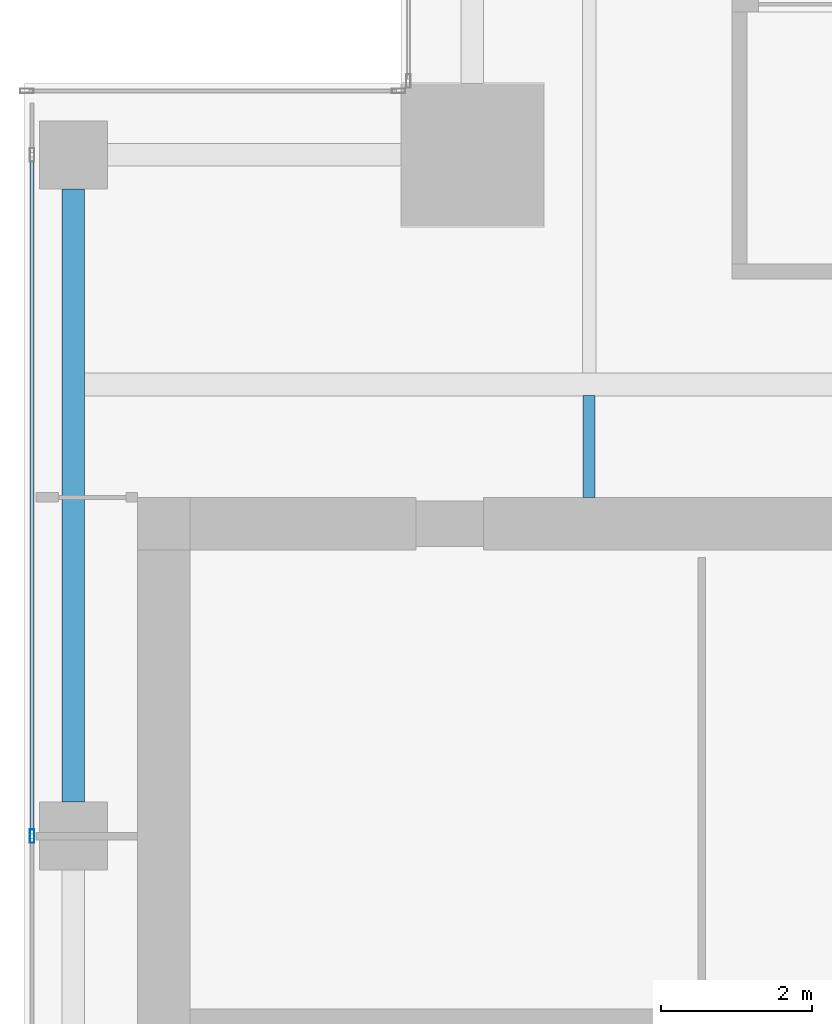
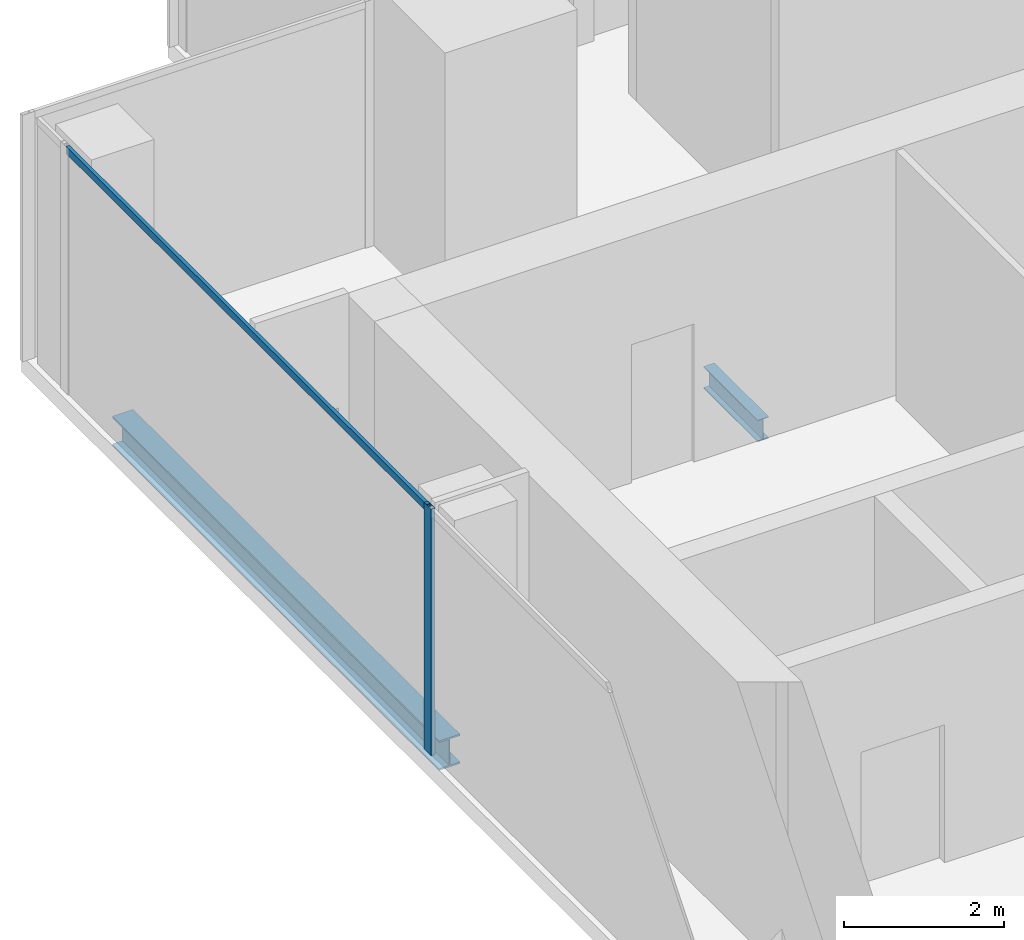
# One storey, part 14 of 35: 2 beams, 2 members, 1 element without a shape of its own.
"""IFC4 building model written with IfcOpenShell, lengths in metres."""

from ifc_helpers import new_model, si_unit, direction, frame, origin, origin_2d, place, context, subcontext, project, spatial, hollow_rectangle, i_section, extrude, source, transform, mapped, material, material_profile, profile_set, type_object, element, aggregate, save


model = new_model("IFC4")

# Units and contexts
model_context = context("Model", 3, precision=1e-05, world=origin(), true_north=direction((0.0, 1.0)))
body_context = subcontext(model_context, "Body", "Model", "MODEL_VIEW")
ifc_project = project(units=[si_unit("LENGTHUNIT", "METRE"), si_unit("AREAUNIT", "SQUARE_METRE"), si_unit("VOLUMEUNIT", "CUBIC_METRE"), si_unit("PLANEANGLEUNIT", "RADIAN"), si_unit("MASSUNIT", "GRAM", prefix="KILO")], contexts=[model_context])

# Site, building, storey
site_placement = place(None, origin())
site = spatial("IfcSite", under=ifc_project, at=site_placement, CompositionType="ELEMENT")
building_placement = place(site_placement, origin())
building = spatial("IfcBuilding", under=site, at=building_placement, Name="Khomas Fold Tower", CompositionType="ELEMENT")
storey_placement = place(building_placement, frame((0.0, 0.0, 250.199951171875)))
storey = spatial("IfcBuildingStorey", under=building, at=storey_placement, Name="L56", CompositionType="ELEMENT", Elevation=250.199951171875)

# Beams
ifc_material_1 = material(Name="Steel S355", Category="steel")
ifc_material_profile_1 = material_profile(ifc_material_1, i_section(OverallWidth=0.159912109375, OverallDepth=0.330078125, WebThickness=0.007568359375, FlangeThickness=0.011474609375, at=origin_2d()), Name="IPE 330")
ifc_profile_set_1 = profile_set([ifc_material_profile_1], Name="Steel S355")
beam_type_1 = type_object("IfcBeamType", Name="IPE 330 beam JB1", PredefinedType="BEAM", material=ifc_profile_set_1)
shared_shape_1 = source(origin(), body_context, "Body", "SweptSolid", [
    extrude(i_section(OverallWidth=0.159912109375, OverallDepth=0.330078125, WebThickness=0.007568359375, FlangeThickness=0.011474609375, at=origin_2d()), origin(), (0.0, 0.0, 1.0), 1.35009765625),
])
beam_1_placement = place(storey_placement, frame((12.0, 39.0, -0.4150390625), z_axis=(0.0, 1.0, 0.0), x_axis=(-1.0, 0.0, 0.0)))
element("IfcBeam", 1, at=beam_1_placement, inside=storey, type_object=beam_type_1, Name="JB1", PredefinedType="BEAM", context=body_context, shape_type="MappedRepresentation", body=[
    mapped(shared_shape_1, transform((0.0, 0.0, 0.0))),
])
ifc_material_2 = material(Name="Steel S355", Category="steel")
ifc_material_profile_2 = material_profile(ifc_material_2, i_section(OverallWidth=0.300048828125, OverallDepth=0.449951171875, WebThickness=0.013916015625, FlangeThickness=0.02587890625, at=origin_2d()), Name="HE 450 B")
ifc_profile_set_2 = profile_set([ifc_material_profile_2], Name="Steel S355")
beam_type_2 = type_object("IfcBeamType", Name="HE 450 B spandrel SB4", PredefinedType="SPANDREL", material=ifc_profile_set_2)
shared_shape_2 = source(origin(), body_context, "Body", "SweptSolid", [
    extrude(i_section(OverallWidth=0.300048828125, OverallDepth=0.449951171875, WebThickness=0.013916015625, FlangeThickness=0.02587890625, at=origin_2d()), origin(), (0.0, 0.0, 1.0), 8.150146484375),
])
beam_2_placement = place(storey_placement, frame((5.14990234375, 34.949951171875, -0.474853515625), z_axis=(0.0, 1.0, 0.0), x_axis=(-1.0, 0.0, 0.0)))
element("IfcBeam", 2, at=beam_2_placement, inside=storey, type_object=beam_type_2, Name="SB4", PredefinedType="SPANDREL", context=body_context, shape_type="MappedRepresentation", body=[
    mapped(shared_shape_2, transform((0.0, 0.0, 0.0))),
])

# Curtain wall, members
ifc_material_3 = material(Name="Aluminium framed double glazing", Category="aluminium")
curtain_wall_type = type_object("IfcCurtainWallType", Name="SK-Unitised clear-glass wall, office floors CW2", PredefinedType="NOTDEFINED", material=ifc_material_3)
curtain_wall_placement = place(storey_placement, origin())
curtain_wall = element("IfcCurtainWall", 3, at=curtain_wall_placement, inside=storey, type_object=curtain_wall_type, Name="CW2 run L56 09-0", PredefinedType="NOTDEFINED")
ifc_material_4 = material(Name="Aluminium", Category="aluminium")
ifc_material_profile_3 = material_profile(ifc_material_4, hollow_rectangle(XDim=0.06005859375, YDim=0.179931640625, WallThickness=0.00390625, at=origin_2d()), Name="SK-Unitised clear-glass wall, office floors mullion CW2-M")
ifc_profile_set_3 = profile_set([ifc_material_profile_3], Name="Aluminium")
member_type_1 = type_object("IfcMemberType", Name="SK-Unitised clear-glass wall, office floors mullion CW2-M", PredefinedType="MULLION", material=ifc_profile_set_3)
shared_shape_3 = source(origin(), body_context, "Body", "SweptSolid", [
    extrude(hollow_rectangle(XDim=0.06005859375, YDim=0.179931640625, WallThickness=0.00390625, at=origin_2d()), origin(), (0.0, 0.0, 1.0), 3.75),
])
member_1_placement = place(storey_placement, frame((4.60009765625, 34.5, 0.0), z_axis=(0.0, 0.0, 1.0), x_axis=(1.0, 0.0, 0.0)))
member_1 = element("IfcMember", 4, at=member_1_placement, type_object=member_type_1, Name="CW2 mullion 3", PredefinedType="MULLION", context=body_context, shape_type="MappedRepresentation", body=[
    mapped(shared_shape_3, transform((0.0, 0.0, 0.0))),
])
ifc_material_5 = material(Name="Aluminium", Category="aluminium")
ifc_material_profile_4 = material_profile(ifc_material_5, hollow_rectangle(XDim=0.050048828125, YDim=0.110107421875, WallThickness=0.00390625, at=origin_2d()), Name="SK-Unitised clear-glass wall, office floors transom CW2-T")
ifc_profile_set_4 = profile_set([ifc_material_profile_4], Name="Aluminium")
member_type_2 = type_object("IfcMemberType", Name="SK-Unitised clear-glass wall, office floors transom CW2-T", PredefinedType="USERDEFINED", material=ifc_profile_set_4)
shared_shape_4 = source(origin(), body_context, "Body", "SweptSolid", [
    extrude(hollow_rectangle(XDim=0.050048828125, YDim=0.110107421875, WallThickness=0.00390625, at=origin_2d()), origin(), (0.0, 0.0, 1.0), 8.989990234375),
])
member_2_placement = place(storey_placement, frame((4.60009765625, 43.52001953125, 3.695068359375), z_axis=(0.0, -1.0, 0.0), x_axis=(1.0, 0.0, 0.0)))
member_2 = element("IfcMember", 5, at=member_2_placement, type_object=member_type_2, Name="CW2 transom 2", ObjectType="TRANSOM", PredefinedType="USERDEFINED", context=body_context, shape_type="MappedRepresentation", body=[
    mapped(shared_shape_4, transform((0.0, 0.0, 0.0))),
])
aggregate(curtain_wall, [member_1, member_2])

save(model, "model.ifc")
